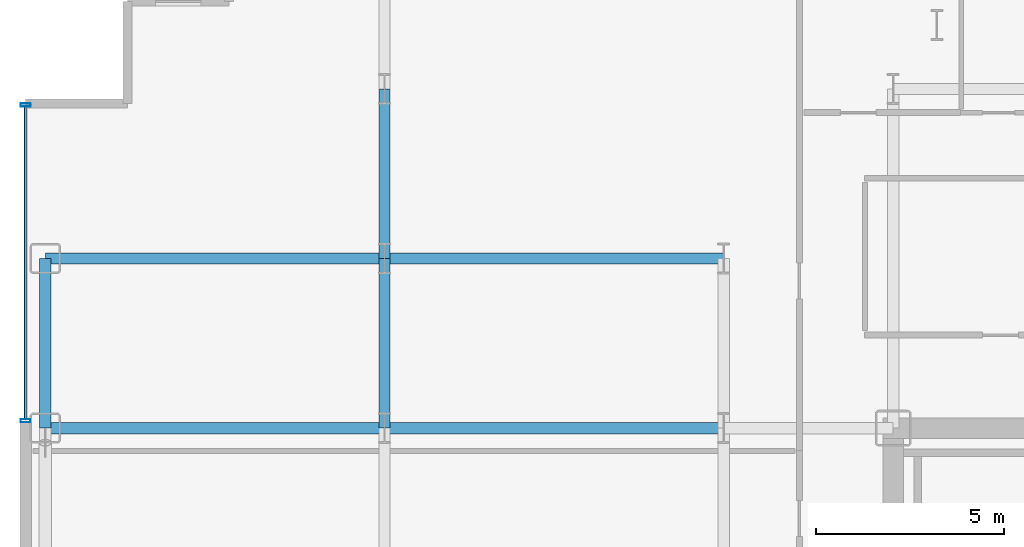
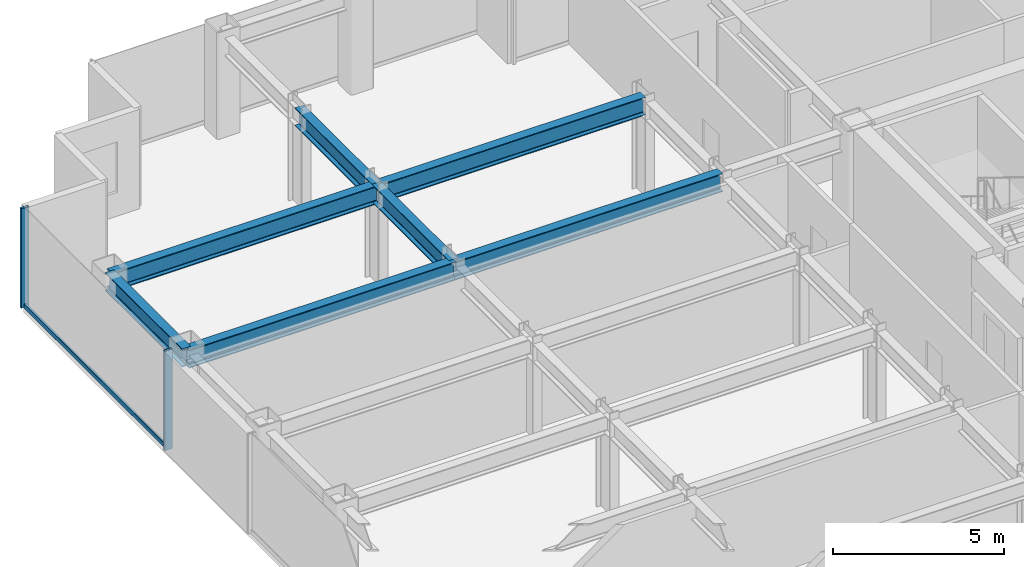
# One storey, part 12 of 26: 7 beams, 3 members, 1 element without a shape of its own.
"""IFC4 building model written with IfcOpenShell, lengths in metres."""

from ifc_helpers import new_model, si_unit, direction, frame, origin, origin_2d, place, context, subcontext, project, spatial, hollow_rectangle, i_section, extrude, source, transform, mapped, material, layer, layer_set, material_profile, profile_set, type_object, element, aggregate, save


model = new_model("IFC4")

# Units and contexts
model_context = context("Model", 3, precision=1e-05, world=origin(), true_north=direction((0.0, 1.0)))
body_context = subcontext(model_context, "Body", "Model", "MODEL_VIEW")
ifc_project = project(units=[si_unit("LENGTHUNIT", "METRE"), si_unit("AREAUNIT", "SQUARE_METRE"), si_unit("VOLUMEUNIT", "CUBIC_METRE"), si_unit("PLANEANGLEUNIT", "RADIAN"), si_unit("MASSUNIT", "GRAM", prefix="KILO")], contexts=[model_context])

# Site, building, storey
site_placement = place(None, origin())
site = spatial("IfcSite", under=ifc_project, at=site_placement, CompositionType="ELEMENT")
building_placement = place(site_placement, origin())
building = spatial("IfcBuilding", under=site, at=building_placement, Name="Nefas-Gora Pilgrimage Tower", CompositionType="ELEMENT")
storey_placement = place(building_placement, frame((0.0, 0.0, 160.199951171875)))
storey = spatial("IfcBuildingStorey", under=building, at=storey_placement, Name="L39", CompositionType="ELEMENT", Elevation=160.199951171875)

# Beams
ifc_material_1 = material(Name="Steel S355", Category="steel")
ifc_material_profile_1 = material_profile(ifc_material_1, i_section(OverallWidth=0.300048828125, OverallDepth=0.64990234375, WebThickness=0.01611328125, FlangeThickness=0.031005859375, FilletRadius=0.027099609375, at=origin_2d()), Name="HEB 650")
ifc_profile_set_1 = profile_set([ifc_material_profile_1], Name="Steel S355")
beam_type_1 = type_object("IfcBeamType", Name="BM-SPN-HEB500", PredefinedType="SPANDREL", material=ifc_profile_set_1)
shared_shape_1 = source(origin(), body_context, "Body", "SweptSolid", [
    extrude(i_section(OverallWidth=0.300048828125, OverallDepth=0.64990234375, WebThickness=0.01611328125, FlangeThickness=0.031005859375, FilletRadius=0.027099609375, at=origin_2d()), origin(), (0.0, 0.0, 1.0), 4.5),
])
beam_placement = place(storey_placement, frame((-33.75, 9.0, 3.22509765625), z_axis=(0.0, 1.0, 0.0), x_axis=(-1.0, 0.0, 0.0)))
element("IfcBeam", 1, at=beam_placement, inside=storey, type_object=beam_type_1, Name="L39 SP-02 beam", PredefinedType="SPANDREL", context=body_context, shape_type="MappedRepresentation", body=[
    mapped(shared_shape_1, transform((0.0, 0.0, 0.0), x_axis=(1.0, 0.0, 0.0), y_axis=(0.0, 1.0, 0.0), z_axis=(0.0, 0.0, 1.0), scale=1.0)),
])
ifc_material_profile_2 = material_profile(ifc_material_1, i_section(OverallWidth=0.300048828125, OverallDepth=0.64990234375, WebThickness=0.01611328125, FlangeThickness=0.031005859375, FilletRadius=0.027099609375, at=origin_2d()), Name="HEB 650")
ifc_profile_set_2 = profile_set([ifc_material_profile_2], Name="Steel S355")
beam_type_2 = type_object("IfcBeamType", Name="BM-GIR-HEB650", PredefinedType="BEAM", material=ifc_profile_set_2)
shared_shape_2 = source(origin(), body_context, "Body", "SweptSolid", [
    extrude(i_section(OverallWidth=0.300048828125, OverallDepth=0.64990234375, WebThickness=0.01611328125, FlangeThickness=0.031005859375, FilletRadius=0.027099609375, at=origin_2d()), origin(), (0.0, 0.0, 1.0), 9.0),
])
for number, where, z_axis, x_axis, name in (
    (2, (-33.75, 9.0, 3.22509765625), (1.0, 0.0, 0.0), (0.0, 1.0, 0.0), "L39 G-03 beam"),
    (3, (-33.75, 13.5, 3.22509765625), (1.0, 0.0, 0.0), (0.0, 1.0, 0.0), "L39 G-03 beam"),
    (4, (-24.75, 9.0, 3.22509765625), (1.0, 0.0, 0.0), (0.0, 1.0, 0.0), "L39 G-03 beam"),
    (5, (-24.75, 13.5, 3.22509765625), (1.0, 0.0, 0.0), (0.0, 1.0, 0.0), "L39 G-03 beam"),
):
    element("IfcBeam", number, at=place(storey_placement, frame(where, z_axis=z_axis, x_axis=x_axis)), inside=storey, type_object=beam_type_2, Name=name, PredefinedType="BEAM", context=body_context, shape_type="MappedRepresentation", body=[
        mapped(shared_shape_2, transform((0.0, 0.0, 0.0), x_axis=(1.0, 0.0, 0.0), y_axis=(0.0, 1.0, 0.0), z_axis=(0.0, 0.0, 1.0), scale=1.0)),
    ])
shared_shape_3 = source(origin(), body_context, "Body", "SweptSolid", [
    extrude(i_section(OverallWidth=0.300048828125, OverallDepth=0.64990234375, WebThickness=0.01611328125, FlangeThickness=0.031005859375, FilletRadius=0.027099609375, at=origin_2d()), origin(), (0.0, 0.0, 1.0), 4.5),
])
for number, where, z_axis, x_axis, name in (
    (6, (-24.75, 9.0, 3.22509765625), (0.0, 1.0, 0.0), (-1.0, 0.0, 0.0), "L39 G-03 beam"),
    (7, (-24.75, 13.5, 3.22509765625), (0.0, 1.0, 0.0), (-1.0, 0.0, 0.0), "L39 G-03 beam"),
):
    element("IfcBeam", number, at=place(storey_placement, frame(where, z_axis=z_axis, x_axis=x_axis)), inside=storey, type_object=beam_type_2, Name=name, PredefinedType="BEAM", context=body_context, shape_type="MappedRepresentation", body=[
        mapped(shared_shape_3, transform((0.0, 0.0, 0.0), x_axis=(1.0, 0.0, 0.0), y_axis=(0.0, 1.0, 0.0), z_axis=(0.0, 0.0, 1.0), scale=1.0)),
    ])

# Curtain wall, members
ifc_material_2 = material(Name="Dark ceramic-fritted solar-control aluminium-glass curtain wall", Category="aluminium")
ifc_layer = layer(ifc_material_2, 0.219970703125)
ifc_layer_set = layer_set([ifc_layer], Name="Dark ceramic-fritted solar-control aluminium-glass curtain wall")
curtain_wall_type = type_object("IfcCurtainWallType", Name="CW-SYS-3", PredefinedType="NOTDEFINED", material=ifc_layer_set)
curtain_wall_placement = place(storey_placement, origin())
curtain_wall = element("IfcCurtainWall", 8, at=curtain_wall_placement, inside=storey, type_object=curtain_wall_type, Name="L39 Unitised Curtain Wall CW3", PredefinedType="NOTDEFINED")
ifc_material_3 = material(Name="Anodised architectural aluminium", Category="aluminium")
ifc_material_profile_3 = material_profile(ifc_material_3, hollow_rectangle(XDim=0.090087890625, YDim=0.260009765625, WallThickness=0.006103515625, InnerFilletRadius=0.006103515625, OuterFilletRadius=0.011962890625, at=origin_2d()), Name="ALU MULLION 90x260")
ifc_profile_set_3 = profile_set([ifc_material_profile_3], Name="Anodised architectural aluminium")
member_type_1 = type_object("IfcMemberType", Name="CWM-MUL-3", PredefinedType="MULLION", material=ifc_profile_set_3)
shared_shape_4 = source(origin(), body_context, "Body", "SweptSolid", [
    extrude(hollow_rectangle(XDim=0.090087890625, YDim=0.260009765625, WallThickness=0.006103515625, InnerFilletRadius=0.006103515625, OuterFilletRadius=0.011962890625, at=origin_2d()), origin(), (0.0, 0.0, 1.0), 3.550048828125),
])
member_1_placement = place(storey_placement, frame((-34.27001953125, 17.574951171875, 0.0), z_axis=(0.0, 0.0, 1.0), x_axis=(0.0, -1.0, 0.0)))
member_1 = element("IfcMember", 9, at=member_1_placement, type_object=member_type_1, Name="CW3 Mullion 1", PredefinedType="MULLION", context=body_context, shape_type="MappedRepresentation", body=[
    mapped(shared_shape_4, transform((0.0, 0.0, 0.0), x_axis=(1.0, 0.0, 0.0), y_axis=(0.0, 1.0, 0.0), z_axis=(0.0, 0.0, 1.0), scale=1.0)),
])
member_2_placement = place(storey_placement, frame((-34.27001953125, 9.195068359375, 0.0), z_axis=(0.0, 0.0, 1.0), x_axis=(0.0, -1.0, 0.0)))
member_2 = element("IfcMember", 10, at=member_2_placement, type_object=member_type_1, Name="CW3 Mullion 2", PredefinedType="MULLION", context=body_context, shape_type="MappedRepresentation", body=[
    mapped(shared_shape_4, transform((0.0, 0.0, 0.0), x_axis=(1.0, 0.0, 0.0), y_axis=(0.0, 1.0, 0.0), z_axis=(0.0, 0.0, 1.0), scale=1.0)),
])
ifc_material_profile_4 = material_profile(ifc_material_3, hollow_rectangle(XDim=0.080078125, YDim=0.159912109375, WallThickness=0.00439453125, InnerFilletRadius=0.00439453125, OuterFilletRadius=0.009033203125, at=origin_2d()), Name="ALU TRANSOM 80x160")
ifc_profile_set_4 = profile_set([ifc_material_profile_4], Name="Anodised architectural aluminium")
member_type_2 = type_object("IfcMemberType", Name="CWM-TRN-3", PredefinedType="USERDEFINED", material=ifc_profile_set_4)
shared_shape_5 = source(origin(), body_context, "Body", "SweptSolid", [
    extrude(hollow_rectangle(XDim=0.080078125, YDim=0.159912109375, WallThickness=0.00439453125, InnerFilletRadius=0.00439453125, OuterFilletRadius=0.009033203125, at=origin_2d()), origin(), (0.0, 0.0, 1.0), 8.2900390625),
])
member_3_placement = place(storey_placement, frame((-34.27001953125, 17.530029296875, 0.050048828125), z_axis=(0.0, -1.0, 0.0), x_axis=(1.0, 0.0, 0.0)))
member_3 = element("IfcMember", 11, at=member_3_placement, type_object=member_type_2, Name="CW3 Spandrel Transom", ObjectType="TRANSOM", PredefinedType="USERDEFINED", context=body_context, shape_type="MappedRepresentation", body=[
    mapped(shared_shape_5, transform((0.0, 0.0, 0.0), x_axis=(1.0, 0.0, 0.0), y_axis=(0.0, 1.0, 0.0), z_axis=(0.0, 0.0, 1.0), scale=1.0)),
])
aggregate(curtain_wall, [member_1, member_2, member_3])

save(model, "model.ifc")
